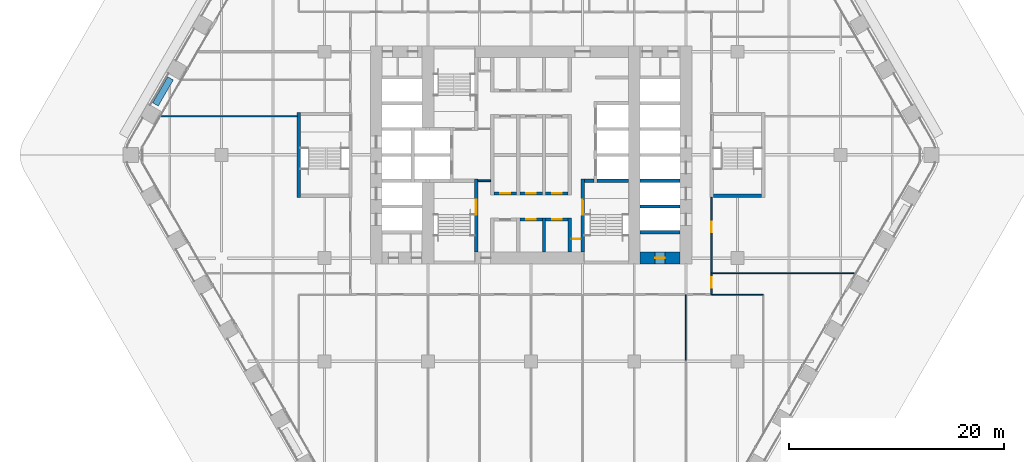
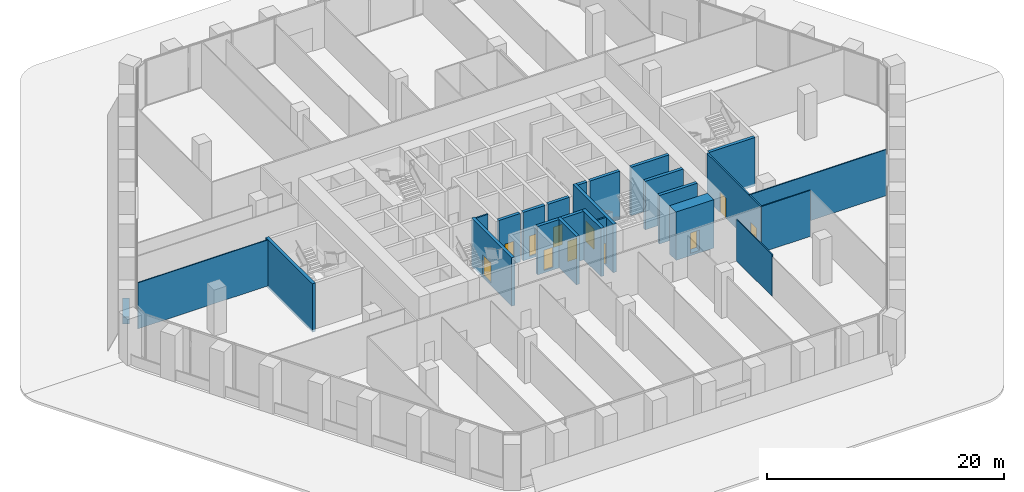
# One storey, part 20 of 29: 25 walls, 11 doors, 11 openings.
"""IFC4 building model written with IfcOpenShell, lengths in metres."""

from ifc_helpers import new_model, si_unit, direction, frame, frame_2d, origin, place, context, subcontext, project, spatial, rectangle, extrude, material, layer, layer_set, type_object, element, fill, save


model = new_model("IFC4")

# Units and contexts
model_context = context("Model", 3, precision=1e-05, world=origin(), true_north=direction((0.0, 1.0)))
body_context = subcontext(model_context, "Body", "Model", "MODEL_VIEW")
ifc_project = project(units=[si_unit("LENGTHUNIT", "METRE"), si_unit("AREAUNIT", "SQUARE_METRE"), si_unit("VOLUMEUNIT", "CUBIC_METRE"), si_unit("PLANEANGLEUNIT", "RADIAN"), si_unit("MASSUNIT", "GRAM", prefix="KILO")], contexts=[model_context])

# Site, building, storey
site_placement = place(None, origin())
site = spatial("IfcSite", under=ifc_project, at=site_placement, CompositionType="ELEMENT")
building_placement = place(site_placement, origin())
building = spatial("IfcBuilding", under=site, at=building_placement, Name="Kolab Exchange Tower", CompositionType="ELEMENT")
storey_placement = place(building_placement, frame((0.0, 0.0, 17.39990234375)))
storey = spatial("IfcBuildingStorey", under=building, at=storey_placement, Name="L03", CompositionType="ELEMENT", Elevation=17.39990234375)

# Wall, opening, door
ifc_material_1 = material(Name="Concrete C80/95", Category="concrete")
ifc_layer_1 = layer(ifc_material_1, 1.10009765625)
ifc_layer_set_1 = layer_set([ifc_layer_1], Name="Concrete C80/95")
wall_type_1 = type_object("IfcWallType", Name="CORE WALL 1100 C80/95", PredefinedType="SHEAR", material=ifc_layer_set_1)
wall_1_placement = place(storey_placement, frame((10.14990234375, -9.60009765625, -0.25), z_axis=(0.0, 0.0, 1.0), x_axis=(1.0, 0.0, 0.0)))
wall_1 = element("IfcWall", 1, at=wall_1_placement, inside=storey, type_object=wall_type_1, Name="wall/L03/core/004", PredefinedType="SHEAR", context=body_context, shape_type="SweptSolid", body=[
    extrude(rectangle(XDim=3.7001953125, YDim=1.10009765625, at=frame_2d((1.85009765625, 0.0))), origin(), (0.0, 0.0, 1.0), 5.0),
])
opening_1_placement = place(wall_1_placement, frame((1.39990234375, 0.0, 0.25)))
opening_1 = element("IfcOpeningElement", 2, at=opening_1_placement, cuts=wall_1, Name="Opening D6-079", PredefinedType="OPENING", context=body_context, shape_type="SweptSolid", body=[
    extrude(rectangle(XDim=0.89990234375, YDim=2.10009765625, at=frame_2d((0.449951171875, 1.050048828125))), frame((0.0, 0.56005859375, 0.0), z_axis=(0.0, -1.0, 0.0), x_axis=(1.0, 0.0, 0.0)), (0.0, 0.0, 1.0), 1.1201171875),
])
ifc_material_2 = material(Name="Steel S235", Category="steel")
door_type_1 = type_object("IfcDoorType", Name="CORE DOOR 900 EI 120", OperationType="SINGLE_SWING_LEFT", PredefinedType="DOOR", material=ifc_material_2)
door_1_placement = place(opening_1_placement, origin())
door_1 = element("IfcDoor", 3, at=door_1_placement, inside=storey, type_object=door_type_1, Name="Service room door", OperationType="SINGLE_SWING_LEFT", OverallHeight=2.10009765625, OverallWidth=0.89990234375, PredefinedType="DOOR", context=body_context, shape_type="SweptSolid", body=[
    extrude(rectangle(XDim=0.89990234375, YDim=2.10009765625, at=frame_2d((0.449951171875, 1.050048828125))), frame((0.0, 0.02490234375, 0.0), z_axis=(0.0, -1.0, 0.0), x_axis=(1.0, 0.0, 0.0)), (0.0, 0.0, 1.0), 0.050048828125),
])
fill(opening_1, door_1)

# Wall
ifc_material_3 = material(Name="Concrete C50/60", Category="concrete")
ifc_layer_2 = layer(ifc_material_3, 0.300048828125)
ifc_layer_set_2 = layer_set([ifc_layer_2], Name="Concrete C50/60")
wall_type_2 = type_object("IfcWallType", Name="LIFT SHAFT WALL 300 C50/60", PredefinedType="STANDARD", material=ifc_layer_set_2)
wall_2_placement = place(storey_placement, frame((10.14990234375, -7.199951171875, -0.25), z_axis=(0.0, 0.0, 1.0), x_axis=(1.0, 0.0, 0.0)))
element("IfcWall", 4, at=wall_2_placement, inside=storey, type_object=wall_type_2, Name="wall/L03/core/006", PredefinedType="STANDARD", context=body_context, shape_type="SweptSolid", body=[
    extrude(rectangle(XDim=3.7001953125, YDim=0.300048828125, at=frame_2d((1.85009765625, 0.0))), origin(), (0.0, 0.0, 1.0), 5.0),
])

# Wall, opening, door
wall_3_placement = place(storey_placement, frame((-1.050048828125, -6.0, -0.25), z_axis=(0.0, 0.0, 1.0), x_axis=(1.0, 0.0, 0.0)))
wall_3 = element("IfcWall", 5, at=wall_3_placement, inside=storey, type_object=wall_type_2, Name="wall/L03/core/008", PredefinedType="STANDARD", context=body_context, shape_type="SweptSolid", body=[
    extrude(rectangle(XDim=2.10009765625, YDim=0.300048828125, at=frame_2d((1.050048828125, 0.0))), origin(), (0.0, 0.0, 1.0), 5.0),
])
opening_2_placement = place(wall_3_placement, frame((0.60009765625, 0.0, 0.25)))
opening_2 = element("IfcOpeningElement", 6, at=opening_2_placement, cuts=wall_3, Name="Opening D6-074", PredefinedType="OPENING", context=body_context, shape_type="SweptSolid", body=[
    extrude(rectangle(XDim=0.89990234375, YDim=2.10009765625, at=frame_2d((0.449951171875, 1.050048828125))), frame((0.0, 0.16015625, 0.0), z_axis=(0.0, -1.0, 0.0), x_axis=(1.0, 0.0, 0.0)), (0.0, 0.0, 1.0), 0.320068359375),
])
door_2_placement = place(opening_2_placement, frame((0.89990234375, 0.0, 0.0), z_axis=(0.0, 0.0, 1.0), x_axis=(-1.0, 0.0, 0.0)))
door_2 = element("IfcDoor", 7, at=door_2_placement, inside=storey, type_object=door_type_1, Name="Service room door", OperationType="SINGLE_SWING_LEFT", OverallHeight=2.10009765625, OverallWidth=0.89990234375, PredefinedType="DOOR", context=body_context, shape_type="SweptSolid", body=[
    extrude(rectangle(XDim=0.89990234375, YDim=2.10009765625, at=frame_2d((0.449951171875, 1.050048828125))), frame((0.0, 0.02490234375, 0.0), z_axis=(0.0, -1.0, 0.0), x_axis=(1.0, 0.0, 0.0)), (0.0, 0.0, 1.0), 0.050048828125),
])
fill(opening_2, door_2)

wall_4_placement = place(storey_placement, frame((1.35009765625, -6.0, -0.25), z_axis=(0.0, 0.0, 1.0), x_axis=(1.0, 0.0, 0.0)))
wall_4 = element("IfcWall", 8, at=wall_4_placement, inside=storey, type_object=wall_type_2, Name="wall/L03/core/009", PredefinedType="STANDARD", context=body_context, shape_type="SweptSolid", body=[
    extrude(rectangle(XDim=2.099853515625, YDim=0.300048828125, at=frame_2d((1.0498046875, 0.0))), origin(), (0.0, 0.0, 1.0), 5.0),
])
opening_3_placement = place(wall_4_placement, frame((0.60009765625, 0.0, 0.25)))
opening_3 = element("IfcOpeningElement", 9, at=opening_3_placement, cuts=wall_4, Name="Opening D6-073", PredefinedType="OPENING", context=body_context, shape_type="SweptSolid", body=[
    extrude(rectangle(XDim=0.89990234375, YDim=2.10009765625, at=frame_2d((0.449951171875, 1.050048828125))), frame((0.0, 0.16015625, 0.0), z_axis=(0.0, -1.0, 0.0), x_axis=(1.0, 0.0, 0.0)), (0.0, 0.0, 1.0), 0.320068359375),
])
door_3_placement = place(opening_3_placement, frame((0.89990234375, 0.0, 0.0), z_axis=(0.0, 0.0, 1.0), x_axis=(-1.0, 0.0, 0.0)))
door_3 = element("IfcDoor", 10, at=door_3_placement, inside=storey, type_object=door_type_1, Name="Service room door", OperationType="SINGLE_SWING_RIGHT", OverallHeight=2.10009765625, OverallWidth=0.89990234375, PredefinedType="DOOR", context=body_context, shape_type="SweptSolid", body=[
    extrude(rectangle(XDim=0.89990234375, YDim=2.10009765625, at=frame_2d((0.449951171875, 1.050048828125))), frame((0.0, 0.02490234375, 0.0), z_axis=(0.0, -1.0, 0.0), x_axis=(1.0, 0.0, 0.0)), (0.0, 0.0, 1.0), 0.050048828125),
])
fill(opening_3, door_3)

# Wall
wall_5_placement = place(storey_placement, frame((10.14990234375, -4.800048828125, -0.25), z_axis=(0.0, 0.0, 1.0), x_axis=(1.0, 0.0, 0.0)))
element("IfcWall", 11, at=wall_5_placement, inside=storey, type_object=wall_type_2, Name="wall/L03/core/011", PredefinedType="STANDARD", context=body_context, shape_type="SweptSolid", body=[
    extrude(rectangle(XDim=3.7001953125, YDim=0.300048828125, at=frame_2d((1.85009765625, 0.0))), origin(), (0.0, 0.0, 1.0), 5.0),
])

# Wall, opening, door
wall_6_placement = place(storey_placement, frame((-3.449951171875, -3.60009765625, -0.25), z_axis=(0.0, 0.0, 1.0), x_axis=(1.0, 0.0, 0.0)))
wall_6 = element("IfcWall", 12, at=wall_6_placement, inside=storey, type_object=wall_type_2, Name="wall/L03/core/014", PredefinedType="STANDARD", context=body_context, shape_type="SweptSolid", body=[
    extrude(rectangle(XDim=2.099853515625, YDim=0.300048828125, at=frame_2d((1.0498046875, 0.0))), origin(), (0.0, 0.0, 1.0), 5.0),
])
opening_4_placement = place(wall_6_placement, frame((0.60009765625, 0.0, 0.25)))
opening_4 = element("IfcOpeningElement", 13, at=opening_4_placement, cuts=wall_6, Name="Opening D6-072", PredefinedType="OPENING", context=body_context, shape_type="SweptSolid", body=[
    extrude(rectangle(XDim=0.89990234375, YDim=2.10009765625, at=frame_2d((0.449951171875, 1.050048828125))), frame((0.0, 0.16015625, 0.0), z_axis=(0.0, -1.0, 0.0), x_axis=(1.0, 0.0, 0.0)), (0.0, 0.0, 1.0), 0.320068359375),
])
door_4_placement = place(opening_4_placement, origin())
door_4 = element("IfcDoor", 14, at=door_4_placement, inside=storey, type_object=door_type_1, Name="Service room door", OperationType="SINGLE_SWING_LEFT", OverallHeight=2.10009765625, OverallWidth=0.89990234375, PredefinedType="DOOR", context=body_context, shape_type="SweptSolid", body=[
    extrude(rectangle(XDim=0.89990234375, YDim=2.10009765625, at=frame_2d((0.449951171875, 1.050048828125))), frame((0.0, 0.02490234375, 0.0), z_axis=(0.0, -1.0, 0.0), x_axis=(1.0, 0.0, 0.0)), (0.0, 0.0, 1.0), 0.050048828125),
])
fill(opening_4, door_4)

wall_7_placement = place(storey_placement, frame((-1.050048828125, -3.60009765625, -0.25), z_axis=(0.0, 0.0, 1.0), x_axis=(1.0, 0.0, 0.0)))
wall_7 = element("IfcWall", 15, at=wall_7_placement, inside=storey, type_object=wall_type_2, Name="wall/L03/core/015", PredefinedType="STANDARD", context=body_context, shape_type="SweptSolid", body=[
    extrude(rectangle(XDim=2.10009765625, YDim=0.300048828125, at=frame_2d((1.050048828125, 0.0))), origin(), (0.0, 0.0, 1.0), 5.0),
])
opening_5_placement = place(wall_7_placement, frame((0.60009765625, 0.0, 0.25)))
opening_5 = element("IfcOpeningElement", 16, at=opening_5_placement, cuts=wall_7, Name="Opening D6-071", PredefinedType="OPENING", context=body_context, shape_type="SweptSolid", body=[
    extrude(rectangle(XDim=0.89990234375, YDim=2.10009765625, at=frame_2d((0.449951171875, 1.050048828125))), frame((0.0, 0.16015625, 0.0), z_axis=(0.0, -1.0, 0.0), x_axis=(1.0, 0.0, 0.0)), (0.0, 0.0, 1.0), 0.320068359375),
])
door_5_placement = place(opening_5_placement, origin())
door_5 = element("IfcDoor", 17, at=door_5_placement, inside=storey, type_object=door_type_1, Name="Service room door", OperationType="SINGLE_SWING_LEFT", OverallHeight=2.10009765625, OverallWidth=0.89990234375, PredefinedType="DOOR", context=body_context, shape_type="SweptSolid", body=[
    extrude(rectangle(XDim=0.89990234375, YDim=2.10009765625, at=frame_2d((0.449951171875, 1.050048828125))), frame((0.0, 0.02490234375, 0.0), z_axis=(0.0, -1.0, 0.0), x_axis=(1.0, 0.0, 0.0)), (0.0, 0.0, 1.0), 0.050048828125),
])
fill(opening_5, door_5)

wall_8_placement = place(storey_placement, frame((1.35009765625, -3.60009765625, -0.25), z_axis=(0.0, 0.0, 1.0), x_axis=(1.0, 0.0, 0.0)))
wall_8 = element("IfcWall", 18, at=wall_8_placement, inside=storey, type_object=wall_type_2, Name="wall/L03/core/016", PredefinedType="STANDARD", context=body_context, shape_type="SweptSolid", body=[
    extrude(rectangle(XDim=2.099853515625, YDim=0.300048828125, at=frame_2d((1.0498046875, 0.0))), origin(), (0.0, 0.0, 1.0), 5.0),
])
opening_6_placement = place(wall_8_placement, frame((0.60009765625, 0.0, 0.25)))
opening_6 = element("IfcOpeningElement", 19, at=opening_6_placement, cuts=wall_8, Name="Opening D6-070", PredefinedType="OPENING", context=body_context, shape_type="SweptSolid", body=[
    extrude(rectangle(XDim=0.89990234375, YDim=2.10009765625, at=frame_2d((0.449951171875, 1.050048828125))), frame((0.0, 0.16015625, 0.0), z_axis=(0.0, -1.0, 0.0), x_axis=(1.0, 0.0, 0.0)), (0.0, 0.0, 1.0), 0.320068359375),
])
door_6_placement = place(opening_6_placement, origin())
door_6 = element("IfcDoor", 20, at=door_6_placement, inside=storey, type_object=door_type_1, Name="Service room door", OperationType="SINGLE_SWING_RIGHT", OverallHeight=2.10009765625, OverallWidth=0.89990234375, PredefinedType="DOOR", context=body_context, shape_type="SweptSolid", body=[
    extrude(rectangle(XDim=0.89990234375, YDim=2.10009765625, at=frame_2d((0.449951171875, 1.050048828125))), frame((0.0, 0.02490234375, 0.0), z_axis=(0.0, -1.0, 0.0), x_axis=(1.0, 0.0, 0.0)), (0.0, 0.0, 1.0), 0.050048828125),
])
fill(opening_6, door_6)

# Walls
wall_9_placement = place(storey_placement, frame((10.14990234375, -2.39990234375, -0.25), z_axis=(0.0, 0.0, 1.0), x_axis=(1.0, 0.0, 0.0)))
element("IfcWall", 21, at=wall_9_placement, inside=storey, type_object=wall_type_2, Name="wall/L03/core/023", PredefinedType="STANDARD", context=body_context, shape_type="SweptSolid", body=[
    extrude(rectangle(XDim=3.7001953125, YDim=0.300048828125, at=frame_2d((1.85009765625, 0.0))), origin(), (0.0, 0.0, 1.0), 5.0),
])
for number, where, z_axis, x_axis, name in (
    (22, (1.199951171875, -9.050048828125, -0.25), (0.0, 0.0, 1.0), (0.0, 1.0, 0.0), "wall/L03/core/072"),
    (23, (3.60009765625, -9.050048828125, -0.25), (0.0, 0.0, 1.0), (0.0, 1.0, 0.0), "wall/L03/core/075"),
):
    element("IfcWall", number, at=place(storey_placement, frame(where, z_axis=z_axis, x_axis=x_axis)), inside=storey, type_object=wall_type_2, Name=name, PredefinedType="STANDARD", context=body_context, shape_type="SweptSolid", body=[
        extrude(rectangle(XDim=3.199951171875, YDim=0.300048828125, at=frame_2d((1.60009765625, 0.0))), origin(), (0.0, 0.0, 1.0), 5.0),
    ])
ifc_material_4 = material(Name="Gypsum board", Category="gypsum")
ifc_layer_3 = layer(ifc_material_4, 0.10009765625)
ifc_layer_set_3 = layer_set([ifc_layer_3], Name="Gypsum board")
wall_type_3 = type_object("IfcWallType", Name="PARTITION 100", PredefinedType="PARTITIONING", material=ifc_layer_set_3)
wall_10_placement = place(storey_placement, frame((14.39990234375, -19.113037109375, 0.0), z_axis=(0.0, 0.0, 1.0), x_axis=(0.0, 1.0, 0.0)))
element("IfcWall", 24, at=wall_10_placement, inside=storey, type_object=wall_type_3, Name="Partition 004", PredefinedType="PARTITIONING", context=body_context, shape_type="SweptSolid", body=[
    extrude(rectangle(XDim=6.113037109375, YDim=0.10009765625, at=frame_2d((3.056640625, 0.0))), origin(), (0.0, 0.0, 1.0), 4.293212890625),
])
wall_11_placement = place(storey_placement, frame((16.800048828125, -13.0, 0.0), z_axis=(0.0, 0.0, 1.0), x_axis=(1.0, 0.0, 0.0)))
element("IfcWall", 25, at=wall_11_placement, inside=storey, type_object=wall_type_3, Name="Partition 035", PredefinedType="PARTITIONING", context=body_context, shape_type="SweptSolid", body=[
    extrude(rectangle(XDim=4.800048828125, YDim=0.10009765625, at=frame_2d((2.39990234375, 0.0))), origin(), (0.0, 0.0, 1.0), 4.75),
])
wall_12_placement = place(storey_placement, frame((16.800048828125, -11.0, 0.0), z_axis=(0.0, 0.0, 1.0), x_axis=(1.0, 0.0, 0.0)))
element("IfcWall", 26, at=wall_12_placement, inside=storey, type_object=wall_type_3, Name="Partition 038", PredefinedType="PARTITIONING", context=body_context, shape_type="SweptSolid", body=[
    extrude(rectangle(XDim=13.37841796875, YDim=0.10009765625, at=frame_2d((6.689208984375, 0.0))), origin(), (0.0, 0.0, 1.0), 4.75),
])
wall_13_placement = place(storey_placement, frame((-34.450927734375, 3.60009765625, 0.0), z_axis=(0.0, 0.0, 1.0), x_axis=(1.0, 0.0, 0.0)))
element("IfcWall", 27, at=wall_13_placement, inside=storey, type_object=wall_type_3, Name="Partition 040", PredefinedType="PARTITIONING", context=body_context, shape_type="SweptSolid", body=[
    extrude(rectangle(XDim=12.700927734375, YDim=0.10009765625, at=frame_2d((6.3505859375, 0.0))), origin(), (0.0, 0.0, 1.0), 4.75),
])

# Wall, openings, doors
ifc_layer_4 = layer(ifc_material_4, 0.14990234375)
ifc_layer_set_4 = layer_set([ifc_layer_4], Name="Gypsum board")
wall_type_4 = type_object("IfcWallType", Name="PARTITION 150 FIRE-RATED", PredefinedType="PARTITIONING", material=ifc_layer_set_4)
wall_14_placement = place(storey_placement, frame((16.800048828125, -13.0, 0.0), z_axis=(0.0, 0.0, 1.0), x_axis=(0.0, 1.0, 0.0)))
wall_14 = element("IfcWall", 28, at=wall_14_placement, inside=storey, type_object=wall_type_4, Name="Partition 002", PredefinedType="PARTITIONING", context=body_context, shape_type="SweptSolid", body=[
    extrude(rectangle(XDim=9.050048828125, YDim=0.14990234375, at=frame_2d((4.52490234375, 0.0))), origin(), (0.0, 0.0, 1.0), 4.75),
])
opening_7_placement = place(wall_14_placement, frame((0.639892578125, 0.0, 0.0)))
opening_7 = element("IfcOpeningElement", 29, at=opening_7_placement, cuts=wall_14, Name="Opening D1-058", PredefinedType="OPENING", context=body_context, shape_type="SweptSolid", body=[
    extrude(rectangle(XDim=1.0, YDim=2.10009765625, at=frame_2d((0.5, 1.050048828125))), frame((0.0, 0.0849609375, 0.0), z_axis=(0.0, -1.0, 0.0), x_axis=(1.0, 0.0, 0.0)), (0.0, 0.0, 1.0), 0.169921875),
])
opening_8_placement = place(wall_14_placement, frame((5.800048828125, 0.0, 0.0)))
opening_8 = element("IfcOpeningElement", 30, at=opening_8_placement, cuts=wall_14, Name="Opening D1-059", PredefinedType="OPENING", context=body_context, shape_type="SweptSolid", body=[
    extrude(rectangle(XDim=1.0, YDim=2.10009765625, at=frame_2d((0.5, 1.050048828125))), frame((0.0, 0.0849609375, 0.0), z_axis=(0.0, -1.0, 0.0), x_axis=(1.0, 0.0, 0.0)), (0.0, 0.0, 1.0), 0.169921875),
])
door_type_2 = type_object("IfcDoorType", Name="FLUSH DOOR 1000 FD60", OperationType="SINGLE_SWING_LEFT", PredefinedType="DOOR", material=ifc_material_2)
door_7_placement = place(opening_7_placement, frame((1.0, 0.0, 0.0), z_axis=(0.0, 0.0, 1.0), x_axis=(-1.0, 0.0, 0.0)))
door_7 = element("IfcDoor", 31, at=door_7_placement, inside=storey, type_object=door_type_2, Name="Door L03-063", OperationType="SINGLE_SWING_RIGHT", OverallHeight=2.10009765625, OverallWidth=1.0, PredefinedType="DOOR", context=body_context, shape_type="SweptSolid", body=[
    extrude(rectangle(XDim=1.0, YDim=2.10009765625, at=frame_2d((0.5, 1.050048828125))), frame((0.0, 0.02490234375, 0.0), z_axis=(0.0, -1.0, 0.0), x_axis=(1.0, 0.0, 0.0)), (0.0, 0.0, 1.0), 0.050048828125),
])
fill(opening_7, door_7)
door_8_placement = place(opening_8_placement, frame((1.0, 0.0, 0.0), z_axis=(0.0, 0.0, 1.0), x_axis=(-1.0, 0.0, 0.0)))
door_8 = element("IfcDoor", 32, at=door_8_placement, inside=storey, type_object=door_type_2, Name="Door L03-064", OperationType="SINGLE_SWING_RIGHT", OverallHeight=2.10009765625, OverallWidth=1.0, PredefinedType="DOOR", context=body_context, shape_type="SweptSolid", body=[
    extrude(rectangle(XDim=1.0, YDim=2.10009765625, at=frame_2d((0.5, 1.050048828125))), frame((0.0, 0.02490234375, 0.0), z_axis=(0.0, -1.0, 0.0), x_axis=(1.0, 0.0, 0.0)), (0.0, 0.0, 1.0), 0.050048828125),
])
fill(opening_8, door_8)

# Wall, opening, door
wall_15_placement = place(storey_placement, frame((3.75, -7.800048828125, 0.0), z_axis=(0.0, 0.0, 1.0), x_axis=(1.0, 0.0, 0.0)))
wall_15 = element("IfcWall", 33, at=wall_15_placement, inside=storey, type_object=wall_type_4, Name="Partition 039", PredefinedType="PARTITIONING", context=body_context, shape_type="SweptSolid", body=[
    extrude(rectangle(XDim=0.89990234375, YDim=0.14990234375, at=frame_2d((0.449951171875, 0.0))), origin(), (0.0, 0.0, 1.0), 4.75),
])
opening_9_placement = place(wall_15_placement, frame((0.050048828125, 0.0, 0.0)))
opening_9 = element("IfcOpeningElement", 34, at=opening_9_placement, cuts=wall_15, Name="Opening D7-007", PredefinedType="OPENING", context=body_context, shape_type="SweptSolid", body=[
    extrude(rectangle(XDim=0.800048828125, YDim=2.10009765625, at=frame_2d((0.39990234375, 1.050048828125))), frame((0.0, 0.0849609375, 0.0), z_axis=(0.0, -1.0, 0.0), x_axis=(1.0, 0.0, 0.0)), (0.0, 0.0, 1.0), 0.169921875),
])
door_type_3 = type_object("IfcDoorType", Name="FLUSH DOOR 800 FD60", OperationType="SINGLE_SWING_LEFT", PredefinedType="DOOR", material=ifc_material_2)
door_9_placement = place(opening_9_placement, frame((0.800048828125, 0.0, 0.0), z_axis=(0.0, 0.0, 1.0), x_axis=(-1.0, 0.0, 0.0)))
door_9 = element("IfcDoor", 35, at=door_9_placement, inside=storey, type_object=door_type_3, Name="Door L03-041", OperationType="SINGLE_SWING_RIGHT", OverallHeight=2.10009765625, OverallWidth=0.800048828125, PredefinedType="DOOR", context=body_context, shape_type="SweptSolid", body=[
    extrude(rectangle(XDim=0.800048828125, YDim=2.10009765625, at=frame_2d((0.39990234375, 1.050048828125))), frame((0.0, 0.02490234375, 0.0), z_axis=(0.0, -1.0, 0.0), x_axis=(1.0, 0.0, 0.0)), (0.0, 0.0, 1.0), 0.050048828125),
])
fill(opening_9, door_9)

# Walls
wall_16_placement = place(storey_placement, frame((-4.949951171875, -2.39990234375, 0.0), z_axis=(0.0, 0.0, 1.0), x_axis=(1.0, 0.0, 0.0)))
element("IfcWall", 36, at=wall_16_placement, inside=storey, type_object=wall_type_4, Name="Fire partition", PredefinedType="PARTITIONING", context=body_context, shape_type="SweptSolid", body=[
    extrude(rectangle(XDim=1.199951171875, YDim=0.14990234375, at=frame_2d((0.60009765625, 0.0))), origin(), (0.0, 0.0, 1.0), 4.75),
])
ifc_material_5 = material(Name="Granite facing", Category="masonry")
ifc_layer_5 = layer(ifc_material_5, 0.0400390625)
ifc_material_6 = material(Name="Concrete C40/50 precast", Category="concrete")
ifc_layer_6 = layer(ifc_material_6, 0.56005859375)
ifc_layer_set_5 = layer_set([ifc_layer_5, ifc_layer_6], Name="Concrete C40/50 precast")
wall_type_5 = type_object("IfcWallType", Name="PLANTER BOX 600 X 700 SOIL DEPTH 550", PredefinedType="USERDEFINED", material=ifc_layer_set_5)
wall_17_placement = place(storey_placement, frame((-34.93701171875, 4.697998046875, 0.0), z_axis=(0.0, 0.0, 1.0), x_axis=(0.49998411664, 0.866034573852, 0.0)))
element("IfcWall", 37, at=wall_17_placement, inside=storey, type_object=wall_type_5, Name="Planter", ObjectType="PLANTER", PredefinedType="USERDEFINED", context=body_context, shape_type="SweptSolid", body=[
    extrude(rectangle(XDim=2.7998046875, YDim=0.60009765625, at=frame_2d((1.39990234375, 0.0))), origin(), (0.0, 0.0, 1.0), 0.7001953125),
])
ifc_layer_7 = layer(ifc_material_3, 0.300048828125)
ifc_layer_set_6 = layer_set([ifc_layer_7], Name="Concrete C50/60")
wall_type_6 = type_object("IfcWallType", Name="STAIR ENCLOSURE WALL 300 C50/60", PredefinedType="STANDARD", material=ifc_layer_set_6)
wall_18_placement = place(storey_placement, frame((16.949951171875, -3.800048828125, -0.25), z_axis=(0.0, 0.0, 1.0), x_axis=(1.0, 0.0, 0.0)))
element("IfcWall", 38, at=wall_18_placement, inside=storey, type_object=wall_type_6, Name="wall/L03/core/013", PredefinedType="STANDARD", context=body_context, shape_type="SweptSolid", body=[
    extrude(rectangle(XDim=4.5, YDim=0.300048828125, at=frame_2d((2.25, 0.0))), origin(), (0.0, 0.0, 1.0), 5.0),
])
wall_19_placement = place(storey_placement, frame((4.949951171875, -2.39990234375, -0.25), z_axis=(0.0, 0.0, 1.0), x_axis=(1.0, 0.0, 0.0)))
element("IfcWall", 39, at=wall_19_placement, inside=storey, type_object=wall_type_6, Name="wall/L03/core/021", PredefinedType="STANDARD", context=body_context, shape_type="SweptSolid", body=[
    extrude(rectangle(XDim=0.900146484375, YDim=0.300048828125, at=frame_2d((0.4501953125, 0.0))), origin(), (0.0, 0.0, 1.0), 5.0),
])
wall_20_placement = place(storey_placement, frame((6.14990234375, -2.39990234375, -0.25), z_axis=(0.0, 0.0, 1.0), x_axis=(1.0, 0.0, 0.0)))
element("IfcWall", 40, at=wall_20_placement, inside=storey, type_object=wall_type_6, Name="wall/L03/core/022", PredefinedType="STANDARD", context=body_context, shape_type="SweptSolid", body=[
    extrude(rectangle(XDim=2.900146484375, YDim=0.300048828125, at=frame_2d((1.4501953125, 0.0))), origin(), (0.0, 0.0, 1.0), 5.0),
])
wall_21_placement = place(storey_placement, frame((-21.60009765625, -3.949951171875, -0.25), z_axis=(0.0, 0.0, 1.0), x_axis=(0.0, 1.0, 0.0)))
element("IfcWall", 41, at=wall_21_placement, inside=storey, type_object=wall_type_6, Name="wall/L03/core/055", PredefinedType="STANDARD", context=body_context, shape_type="SweptSolid", body=[
    extrude(rectangle(XDim=7.89990234375, YDim=0.300048828125, at=frame_2d((3.949951171875, 0.0))), origin(), (0.0, 0.0, 1.0), 5.0),
])

# Wall, opening, door
wall_22_placement = place(storey_placement, frame((-5.10009765625, -9.050048828125, -0.25), z_axis=(0.0, 0.0, 1.0), x_axis=(0.0, 1.0, 0.0)))
wall_22 = element("IfcWall", 42, at=wall_22_placement, inside=storey, type_object=wall_type_6, Name="wall/L03/core/064", PredefinedType="STANDARD", context=body_context, shape_type="SweptSolid", body=[
    extrude(rectangle(XDim=6.800048828125, YDim=0.300048828125, at=frame_2d((3.39990234375, 0.0))), origin(), (0.0, 0.0, 1.0), 5.0),
])
opening_10_placement = place(wall_22_placement, frame((3.5, 0.0, 0.25)))
opening_10 = element("IfcOpeningElement", 43, at=opening_10_placement, cuts=wall_22, Name="Opening D8-004", PredefinedType="OPENING", context=body_context, shape_type="SweptSolid", body=[
    extrude(rectangle(XDim=1.39990234375, YDim=2.10009765625, at=frame_2d((0.699951171875, 1.050048828125))), frame((0.0, 0.16015625, 0.0), z_axis=(0.0, -1.0, 0.0), x_axis=(1.0, 0.0, 0.0)), (0.0, 0.0, 1.0), 0.320068359375),
])
door_type_4 = type_object("IfcDoorType", Name="STAIR DOOR 1400 EI 120", OperationType="SINGLE_SWING_LEFT", PredefinedType="DOOR", material=ifc_material_2)
door_10_placement = place(opening_10_placement, origin())
door_10 = element("IfcDoor", 44, at=door_10_placement, inside=storey, type_object=door_type_4, Name="Stair 3 door", OperationType="SINGLE_SWING_RIGHT", OverallHeight=2.10009765625, OverallWidth=1.39990234375, PredefinedType="DOOR", context=body_context, shape_type="SweptSolid", body=[
    extrude(rectangle(XDim=1.39990234375, YDim=2.10009765625, at=frame_2d((0.699951171875, 1.050048828125))), frame((0.0, 0.02490234375, 0.0), z_axis=(0.0, -1.0, 0.0), x_axis=(1.0, 0.0, 0.0)), (0.0, 0.0, 1.0), 0.050048828125),
])
fill(opening_10, door_10)

wall_23_placement = place(storey_placement, frame((4.800048828125, -9.050048828125, -0.25), z_axis=(0.0, 0.0, 1.0), x_axis=(0.0, 1.0, 0.0)))
wall_23 = element("IfcWall", 45, at=wall_23_placement, inside=storey, type_object=wall_type_6, Name="wall/L03/core/078", PredefinedType="STANDARD", context=body_context, shape_type="SweptSolid", body=[
    extrude(rectangle(XDim=6.800048828125, YDim=0.300048828125, at=frame_2d((3.39990234375, 0.0))), origin(), (0.0, 0.0, 1.0), 5.0),
])
opening_11_placement = place(wall_23_placement, frame((3.5, 0.0, 0.25)))
opening_11 = element("IfcOpeningElement", 46, at=opening_11_placement, cuts=wall_23, Name="Opening D8-003", PredefinedType="OPENING", context=body_context, shape_type="SweptSolid", body=[
    extrude(rectangle(XDim=1.39990234375, YDim=2.10009765625, at=frame_2d((0.699951171875, 1.050048828125))), frame((0.0, 0.16015625, 0.0), z_axis=(0.0, -1.0, 0.0), x_axis=(1.0, 0.0, 0.0)), (0.0, 0.0, 1.0), 0.320068359375),
])
door_11_placement = place(opening_11_placement, frame((1.39990234375, 0.0, 0.0), z_axis=(0.0, 0.0, 1.0), x_axis=(-1.0, 0.0, 0.0)))
door_11 = element("IfcDoor", 47, at=door_11_placement, inside=storey, type_object=door_type_4, Name="Stair 2 door", OperationType="SINGLE_SWING_RIGHT", OverallHeight=2.10009765625, OverallWidth=1.39990234375, PredefinedType="DOOR", context=body_context, shape_type="SweptSolid", body=[
    extrude(rectangle(XDim=1.39990234375, YDim=2.10009765625, at=frame_2d((0.699951171875, 1.050048828125))), frame((0.0, 0.02490234375, 0.0), z_axis=(0.0, -1.0, 0.0), x_axis=(1.0, 0.0, 0.0)), (0.0, 0.0, 1.0), 0.050048828125),
])
fill(opening_11, door_11)

save(model, "model.ifc")
